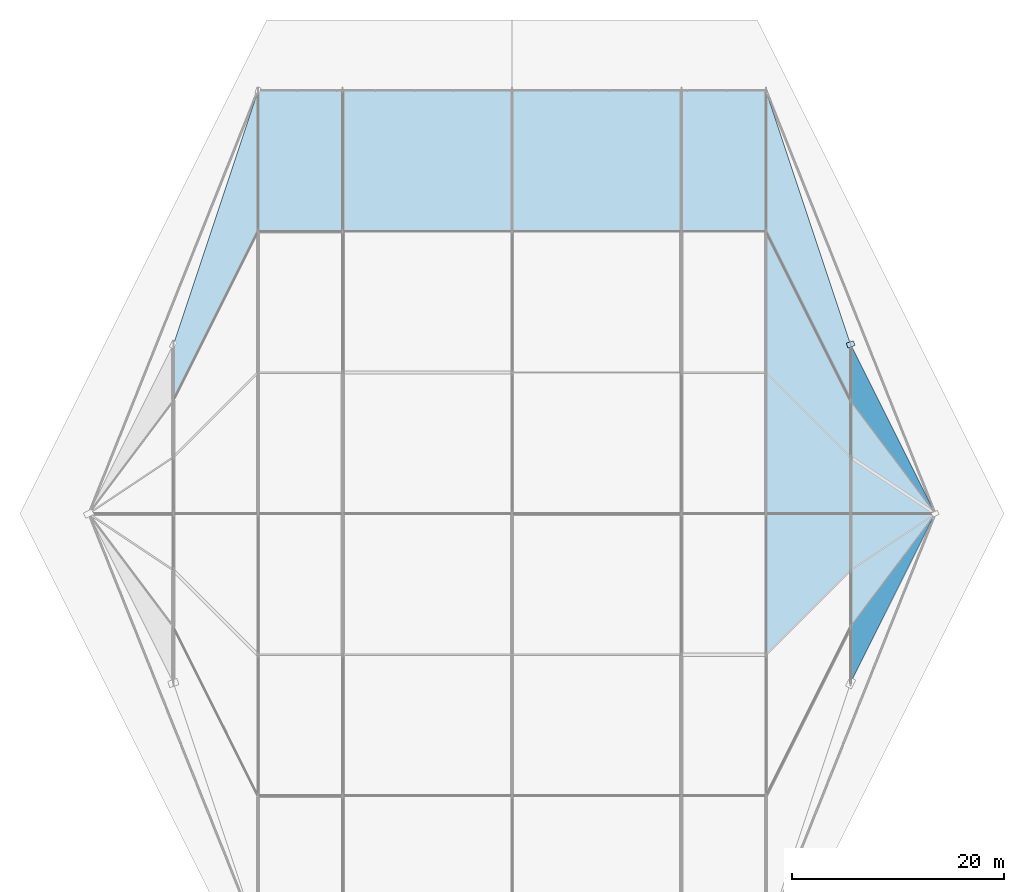
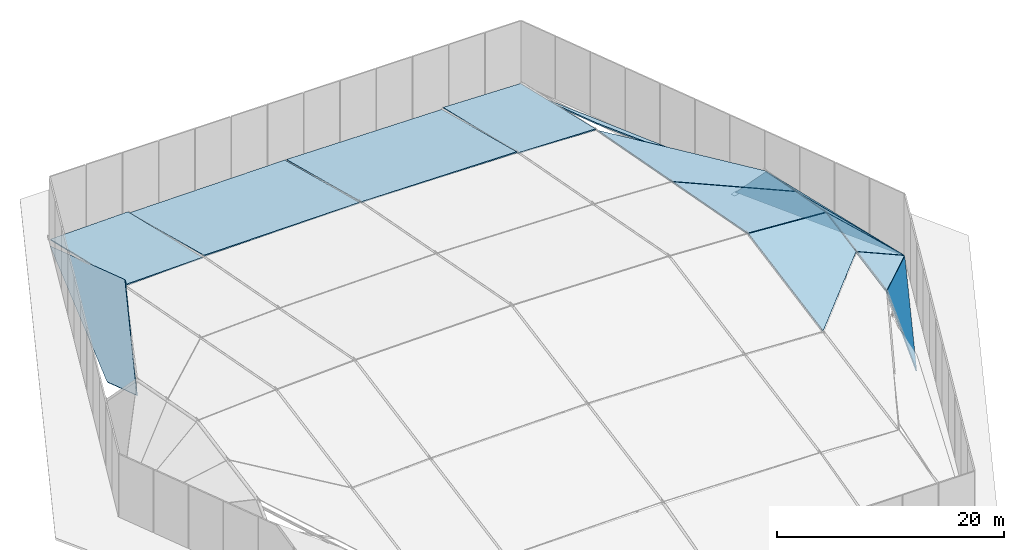
# One storey, part 21 of 30: 15 slabs, 1 plate.
"""IFC4 building model written with IfcOpenShell, lengths in metres."""

from ifc_helpers import new_model, si_unit, direction, frame, origin, origin_2d, place, context, subcontext, project, spatial, polyline, rectangle, outline, extrude, material, layer, layer_set, type_object, element, save


model = new_model("IFC4")

# Units and contexts
model_context = context("Model", 3, precision=1e-05, world=origin(), true_north=direction((0.0, 1.0)))
body_context = subcontext(model_context, "Body", "Model", "MODEL_VIEW")
ifc_project = project(units=[si_unit("LENGTHUNIT", "METRE"), si_unit("AREAUNIT", "SQUARE_METRE"), si_unit("VOLUMEUNIT", "CUBIC_METRE"), si_unit("PLANEANGLEUNIT", "RADIAN"), si_unit("MASSUNIT", "GRAM", prefix="KILO")], contexts=[model_context])

# Site, building, storey
site_placement = place(None, origin())
site = spatial("IfcSite", under=ifc_project, at=site_placement, CompositionType="ELEMENT")
building_placement = place(site_placement, origin())
building = spatial("IfcBuilding", under=site, at=building_placement, Name="Tazarka Park Arena", CompositionType="ELEMENT")
storey_placement = place(building_placement, frame((0.0, 0.0, 29.39990234375)))
storey = spatial("IfcBuildingStorey", under=building, at=storey_placement, Name="Roof", CompositionType="ELEMENT", Elevation=29.39990234375)

# Plate
ifc_material_1 = material(Name="Steel S460", Category="steel")
ifc_layer_1 = layer(ifc_material_1, 0.035888671875, Name="Steel S460")
ifc_layer_set_1 = layer_set([ifc_layer_1], Name="Steel S460")
plate_type = type_object("IfcPlateType", Name="PLT-PL-02", PredefinedType="SHEET", material=ifc_layer_set_1)
plate_placement = place(storey_placement, frame((120.0, 80.0, -0.1376953125), z_axis=(0.0, 0.0, 1.0), x_axis=(0.948710608133, 0.316145823974, 0.0)))
element("IfcPlate", 1, at=plate_placement, inside=storey, type_object=plate_type, Name="RPL-09", PredefinedType="SHEET", context=body_context, shape_type="SweptSolid", body=[
    extrude(rectangle(XDim=0.719970703125, YDim=0.47998046875, at=origin_2d()), origin(), (0.0, 0.0, 1.0), 0.035888671875),
])

# Slabs
ifc_material_2 = material(Name="Concrete C35/45", Category="concrete")
ifc_layer_2 = layer(ifc_material_2, 0.1201171875, Name="Concrete C35/45")
ifc_layer_set_2 = layer_set([ifc_layer_2], Name="Concrete C35/45")
slab_type_1 = type_object("IfcSlabType", Name="SLB-RS-01", PredefinedType="ROOF", material=ifc_layer_set_2)
slab_1_placement = place(storey_placement, frame((112.0400390625, 50.75341796875, 5.598388671875), z_axis=(0.063957696364, -0.184929589814, 0.980668374063), x_axis=(0.704431209415, 0.704432866506, 0.086896534963)))
element("IfcSlab", 2, at=slab_1_placement, inside=storey, type_object=slab_type_1, Name="RSL-Q-06-2", PredefinedType="ROOF", context=body_context, shape_type="SweptSolid", body=[
    extrude(outline(polyline([(0.0, 0.0), (11.242995741160133, 1.3877787807814457e-16), (15.048936579416482, 3.7927238174368023), (9.514787320275078, 9.48176869794374), (0.0, 0.0)])), origin(), (0.0, 0.0, -1.0), 0.1201171875),
])
slab_2_placement = place(storey_placement, frame((112.0400390625, 64.046630859375, 8.087646484375), z_axis=(0.063957696364, 0.184929589814, 0.980668374063), x_axis=(0.997880014342, 1.744172e-06, -0.065080542211)))
element("IfcSlab", 3, at=slab_2_placement, inside=storey, type_object=slab_type_1, Name="RSL-Q-06-3", PredefinedType="ROOF", context=body_context, shape_type="SweptSolid", body=[
    extrude(outline(polyline([(0.0, 0.0), (7.936752464004251, 0.0), (8.00155621701606, 5.37268462626045), (0.16202527112085927, 13.431636653918659), (0.0, 0.0)])), origin(), (0.0, 0.0, -1.0), 0.1201171875),
])
slab_3_placement = place(storey_placement, frame((112.0400390625, 77.340087890625, 5.580810546875), z_axis=(0.063974654396, 0.184929388389, 0.980667305922), x_axis=(0.704419923539, -0.704445281296, 0.086887381022)))
element("IfcSlab", 4, at=slab_3_placement, inside=storey, type_object=slab_type_1, Name="RSL-Q-06-4", PredefinedType="ROOF", context=body_context, shape_type="SweptSolid", body=[
    extrude(outline(polyline([(0.0, 0.0), (11.243167721920024, -2.220446049250313e-16), (7.437149234180893, 3.7927099894741425), (-9.514907195643431, 9.481584310118015), (0.0, 0.0)])), origin(), (0.0, 0.0, -1.0), 0.1201171875),
])
slab_4_placement = place(storey_placement, frame((120.026611328125, 53.38671875, 5.551025390625), z_axis=(0.675437788554, -0.136639878069, 0.724647043405), x_axis=(0.555465491457, 0.74060924039, -0.37809528012)))
element("IfcSlab", 5, at=slab_4_placement, inside=storey, type_object=slab_type_1, Name="RSL-T-07-1-1", PredefinedType="ROOF", context=body_context, shape_type="SweptSolid", body=[
    extrude(outline(polyline([(0.0, 0.0), (14.258610368116685, -1.3322676295501878e-15), (3.534004758200642, 4.047313923366761), (0.0, 0.0)])), origin(), (0.0, 0.0, -1.0), 0.1201171875),
])
slab_5_placement = place(storey_placement, frame((120.026611328125, 58.702392578125, 6.55322265625), z_axis=(0.675446258872, -0.136676898517, 0.724632166542), x_axis=(0.690946319455, 0.460602481567, -0.5571701155)))
element("IfcSlab", 6, at=slab_5_placement, inside=storey, type_object=slab_type_1, Name="RSL-T-07-2-1", PredefinedType="ROOF", context=body_context, shape_type="SweptSolid", body=[
    extrude(outline(polyline([(0.0, 0.0), (11.462780526679406, 4.440892098500626e-16), (1.8770245032350092, 5.034344719514699), (0.0, 0.0)])), origin(), (0.0, 0.0, -1.0), 0.1201171875),
])
slab_6_placement = place(storey_placement, frame((120.026611328125, 64.017822265625, 7.549072265625), z_axis=(0.675446258872, 0.136676898517, 0.724632166542), x_axis=(0.731496766295, 0.0, -0.681844909712)))
element("IfcSlab", 7, at=slab_6_placement, inside=storey, type_object=slab_type_1, Name="RSL-T-07-3-1", PredefinedType="ROOF", context=body_context, shape_type="SweptSolid", body=[
    extrude(outline(polyline([(0.0, 0.0), (10.827342485388835, 1.1102230246251565e-16), (0.6790149869914088, 5.329801721273619), (0.0, 0.0)])), origin(), (0.0, 0.0, -1.0), 0.1201171875),
])
slab_7_placement = place(storey_placement, frame((120.026611328125, 69.333251953125, 6.546630859375), z_axis=(0.675437788554, 0.136639878069, 0.724647043405), x_axis=(0.6909395411, -0.460619261285, -0.557164649523)))
element("IfcSlab", 8, at=slab_7_placement, inside=storey, type_object=slab_type_1, Name="RSL-T-07-4-1", PredefinedType="ROOF", context=body_context, shape_type="SweptSolid", body=[
    extrude(outline(polyline([(0.0, 0.0), (11.462892980505448, 8.881784197001252e-16), (-1.877367022233268, 5.034424762482224), (0.0, 0.0)])), origin(), (0.0, 0.0, -1.0), 0.1201171875),
])
ifc_material_3 = material(Name="Steel S355", Category="steel")
ifc_layer_3 = layer(ifc_material_3, 0.10009765625, Name="Steel S355")
ifc_layer_set_3 = layer_set([ifc_layer_3], Name="Steel S355")
slab_type_2 = type_object("IfcSlabType", Name="SLB-RS-05", PredefinedType="ROOF", material=ifc_layer_set_3)
slab_8_placement = place(storey_placement, frame((120.026611328125, 48.071044921875, 0.13818359375), z_axis=(0.819287729406, -0.409650178475, 0.401191161069), x_axis=(0.447219109737, 0.89442443386, 0.0)))
element("IfcSlab", 9, at=slab_8_placement, inside=storey, type_object=slab_type_2, Name="RSL-T-07-0-1", PredefinedType="ROOF", context=body_context, shape_type="SweptSolid", body=[
    extrude(outline(polyline([(0.0, 0.0), (17.709811238344297, 4.440892098500626e-16), (4.722587214622065, 5.885797671221223), (0.0, 0.0)])), origin(), (0.0, 0.0, -1.0), 0.10009765625),
])
ifc_material_4 = material(Name="Steel S355", Category="steel")
ifc_layer_4 = layer(ifc_material_4, 0.110107421875, Name="Steel S355")
ifc_layer_set_4 = layer_set([ifc_layer_4], Name="Steel S355")
slab_type_3 = type_object("IfcSlabType", Name="SLB-RS-06", PredefinedType="ROOF", material=ifc_layer_set_4)
slab_9_placement = place(storey_placement, frame((56.0400390625, 74.79345703125, 3.712158203125), z_axis=(-0.538368333626, 0.265241965733, 0.799878888934), x_axis=(0.44720475388, 0.894420767709, 0.004404361167)))
element("IfcSlab", 10, at=slab_9_placement, inside=storey, type_object=slab_type_3, Name="RSL-Q-01-5", PredefinedType="ROOF", context=body_context, shape_type="SweptSolid", body=[
    extrude(outline(polyline([(0.0, 0.0), (17.709654935562536, -7.008282842946301e-16), (29.496687714062, 7.379856899346384), (4.714637559616802, 2.95198964733153), (0.0, 0.0)])), origin(), (0.0, 0.0, -1.0), 0.110107421875),
])
slab_10_placement = place(storey_placement, frame((64.0400390625, 90.7333984375, 3.14892578125), z_axis=(-0.022679380208, 0.22895233151, 0.973173404697), x_axis=(0.999728559249, 0.0, 0.023298236461)))
element("IfcSlab", 11, at=slab_10_placement, inside=storey, type_object=slab_type_3, Name="RSL-Q-02-5", PredefinedType="ROOF", context=body_context, shape_type="SweptSolid", body=[
    extrude(outline(polyline([(0.0, 0.0), (7.9220722482416095, -6.938893903907228e-18), (7.849720302982122, 13.560140570551914), (-0.07235194525948781, 13.560140570551914), (0.0, 0.0)])), origin(), (0.0, 0.0, -1.0), 0.110107421875),
])
slab_11_placement = place(storey_placement, frame((72.080078125, 90.7333984375, 3.501220703125), z_axis=(-0.0090086557, 0.25200216607, 0.967684738134), x_axis=(0.999956669473, 0.0, 0.009309091066)))
element("IfcSlab", 12, at=slab_11_placement, inside=storey, type_object=slab_type_3, Name="RSL-Q-03-5", PredefinedType="ROOF", context=body_context, shape_type="SweptSolid", body=[
    extrude(outline(polyline([(0.0, 0.0), (15.840530128518504, 6.938893903907228e-18), (15.80853012797915, 13.640164705378366), (-0.03200000053935429, 13.640164705378366), (0.0, 0.0)])), origin(), (0.0, 0.0, -1.0), 0.110107421875),
])
slab_12_placement = place(storey_placement, frame((88.080078125, 90.7333984375, 3.648681640625), z_axis=(0.0090086557, 0.25200216607, 0.967684738134), x_axis=(0.999956669473, 0.0, -0.009309091066)))
element("IfcSlab", 13, at=slab_12_placement, inside=storey, type_object=slab_type_3, Name="RSL-Q-04-5", PredefinedType="ROOF", context=body_context, shape_type="SweptSolid", body=[
    extrude(outline(polyline([(0.0, 0.0), (15.840530128518504, -6.938893903907228e-18), (15.872530129057857, 13.640164705378366), (0.03200000053935429, 13.640164705378366), (0.0, 0.0)])), origin(), (0.0, 0.0, -1.0), 0.110107421875),
])
slab_13_placement = place(storey_placement, frame((104.0400390625, 90.7333984375, 3.33349609375), z_axis=(0.022679380208, 0.22895233151, 0.973173404697), x_axis=(0.999728559249, 0.0, -0.023298236461)))
element("IfcSlab", 14, at=slab_13_placement, inside=storey, type_object=slab_type_3, Name="RSL-Q-05-5", PredefinedType="ROOF", context=body_context, shape_type="SweptSolid", body=[
    extrude(outline(polyline([(0.0, 0.0), (7.9220722482416095, 6.938893903907228e-18), (7.994424193501097, 13.560140570551912), (0.07235194525948781, 13.560140570551914), (0.0, 0.0)])), origin(), (0.0, 0.0, -1.0), 0.110107421875),
])
slab_14_placement = place(storey_placement, frame((112.0400390625, 90.63330078125, 3.7900390625), z_axis=(0.538368333626, 0.265241965733, 0.799878888934), x_axis=(0.44720475388, -0.894420767709, -0.004404361167)))
element("IfcSlab", 15, at=slab_14_placement, inside=storey, type_object=slab_type_3, Name="RSL-Q-06-5", PredefinedType="ROOF", context=body_context, shape_type="SweptSolid", body=[
    extrude(outline(polyline([(0.0, 0.0), (17.709654935562536, 7.008282842946301e-16), (12.99501737594573, 2.95198964733153), (-11.787032778499466, 7.379856899346386), (0.0, 0.0)])), origin(), (0.0, 0.0, -1.0), 0.110107421875),
])
slab_15_placement = place(storey_placement, frame((120.026611328125, 74.64892578125, 5.529541015625), z_axis=(0.819287729406, 0.409650178475, 0.401191161069), x_axis=(0.555461895398, -0.740604445719, -0.378109954566)))
element("IfcSlab", 16, at=slab_15_placement, inside=storey, type_object=slab_type_3, Name="RSL-T-07-5-1", PredefinedType="ROOF", context=body_context, shape_type="SweptSolid", body=[
    extrude(outline(polyline([(0.0, 0.0), (14.258702678326003, 0.0), (-1.8718872609554622, 7.310368137688936), (0.0, 0.0)])), origin(), (0.0, 0.0, -1.0), 0.110107421875),
])

save(model, "model.ifc")
